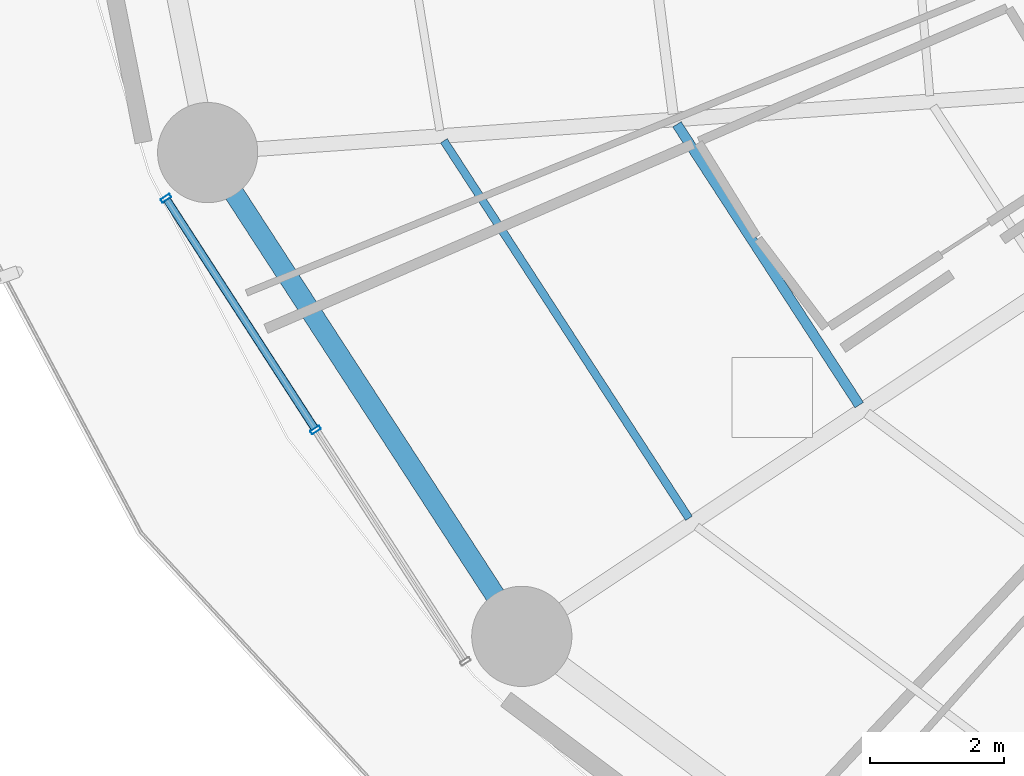
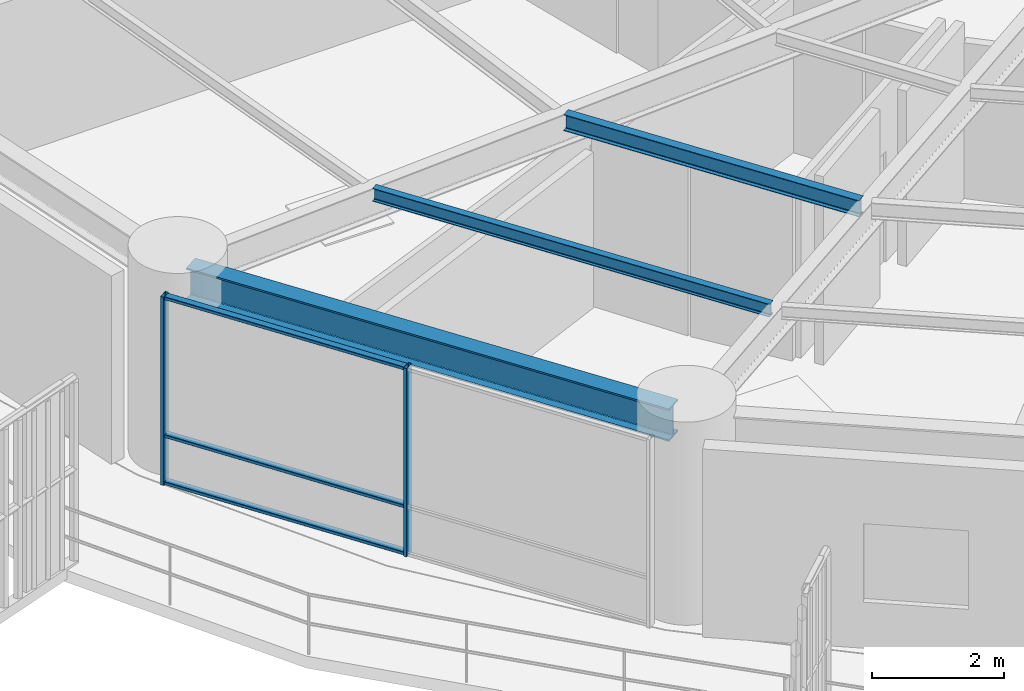
# One storey, part 4 of 34: 5 members, 3 beams, 1 element without a shape of its own.
"""IFC4 building model written with IfcOpenShell, lengths in metres."""

from ifc_helpers import new_model, si_unit, direction, frame, origin, origin_2d, place, context, subcontext, project, spatial, hollow_rectangle, i_section, extrude, material, layer, layer_set, material_profile, profile_set, type_object, element, aggregate, save


model = new_model("IFC4")

# Units and contexts
model_context = context("Model", 3, precision=1e-05, world=origin(), true_north=direction((0.0, 1.0)))
body_context = subcontext(model_context, "Body", "Model", "MODEL_VIEW")
ifc_project = project(units=[si_unit("LENGTHUNIT", "METRE"), si_unit("AREAUNIT", "SQUARE_METRE"), si_unit("VOLUMEUNIT", "CUBIC_METRE"), si_unit("PLANEANGLEUNIT", "RADIAN"), si_unit("MASSUNIT", "GRAM", prefix="KILO")], contexts=[model_context])

# Site, building, storey
site_placement = place(None, origin())
site = spatial("IfcSite", under=ifc_project, at=site_placement, CompositionType="ELEMENT")
building_placement = place(site_placement, origin())
building = spatial("IfcBuilding", under=site, at=building_placement, Name="Kelanora Arch Commons", CompositionType="ELEMENT")
storey_placement = place(building_placement, frame((0.0, 0.0, 30.0)))
storey = spatial("IfcBuildingStorey", under=building, at=storey_placement, Name="L07", CompositionType="ELEMENT", Elevation=30.0)

# Beams
ifc_material_1 = material(Name="Steel S355", Category="steel")
ifc_material_profile_1 = material_profile(ifc_material_1, i_section(OverallWidth=0.14990234375, OverallDepth=0.300048828125, WebThickness=0.007080078125, FlangeThickness=0.0107421875, FilletRadius=0.014892578125, at=origin_2d()), Name="IPE300")
ifc_profile_set_1 = profile_set([ifc_material_profile_1], Name="Steel S355")
beam_type_1 = type_object("IfcBeamType", Name="BM-JST-01", PredefinedType="JOIST", material=ifc_profile_set_1)
beam_1_placement = place(storey_placement, frame((55.578125, 50.187255859375, 3.340087890625), z_axis=(0.544551588245, -0.838727350061, 0.0), x_axis=(0.838727350061, 0.544551588245, 0.0)))
element("IfcBeam", 1, at=beam_1_placement, inside=storey, type_object=beam_type_1, Name="Secondary Chord Joist BJB-20 L07", PredefinedType="JOIST", context=body_context, shape_type="SweptSolid", body=[
    extrude(i_section(OverallWidth=0.14990234375, OverallDepth=0.300048828125, WebThickness=0.007080078125, FlangeThickness=0.0107421875, FilletRadius=0.014892578125, at=origin_2d()), origin(), (0.0, 0.0, 1.0), 5.010986328125),
])
ifc_material_profile_2 = material_profile(ifc_material_1, i_section(OverallWidth=0.1201171875, OverallDepth=0.239990234375, WebThickness=0.006103515625, FlangeThickness=0.009765625, FilletRadius=0.014892578125, at=origin_2d()), Name="IPE240")
ifc_profile_set_2 = profile_set([ifc_material_profile_2], Name="Steel S355")
beam_type_2 = type_object("IfcBeamType", Name="BM-JST-02", PredefinedType="JOIST", material=ifc_profile_set_2)
beam_2_placement = place(storey_placement, frame((52.0888671875, 49.940185546875, 3.3701171875), z_axis=(0.544550165372, -0.838728273873, 0.0), x_axis=(0.838728273873, 0.544550165372, 0.0)))
element("IfcBeam", 2, at=beam_2_placement, inside=storey, type_object=beam_type_2, Name="Secondary Chord Joist BJC-20 L07", PredefinedType="JOIST", context=body_context, shape_type="SweptSolid", body=[
    extrude(i_section(OverallWidth=0.1201171875, OverallDepth=0.239990234375, WebThickness=0.006103515625, FlangeThickness=0.009765625, FilletRadius=0.014892578125, at=origin_2d()), origin(), (0.0, 0.0, 1.0), 6.738037109375),
])
ifc_material_profile_3 = material_profile(ifc_material_1, i_section(OverallWidth=0.300048828125, OverallDepth=0.60009765625, WebThickness=0.015380859375, FlangeThickness=0.030029296875, FilletRadius=0.027099609375, at=origin_2d()), Name="HEB600")
ifc_profile_set_3 = profile_set([ifc_material_profile_3], Name="Steel S355")
beam_type_3 = type_object("IfcBeamType", Name="BM-SPN-Z1", PredefinedType="SPANDREL", material=ifc_profile_set_3)
beam_3_placement = place(storey_placement, frame((48.6728515625, 49.57958984375, 3.18994140625), z_axis=(0.544580949539, -0.838708286235, 0.0), x_axis=(0.838708286235, 0.544580949539, 0.0)))
element("IfcBeam", 3, at=beam_3_placement, inside=storey, type_object=beam_type_3, Name="Perimeter Spandrel Beam BS-20 L07", PredefinedType="SPANDREL", context=body_context, shape_type="SweptSolid", body=[
    extrude(i_section(OverallWidth=0.300048828125, OverallDepth=0.60009765625, WebThickness=0.015380859375, FlangeThickness=0.030029296875, FilletRadius=0.027099609375, at=origin_2d()), origin(), (0.0, 0.0, 1.0), 8.195068359375),
])

# Curtain wall, members
ifc_material_2 = material(Name="Terracotta ceramic-fritted low-E glass and aluminium", Category="masonry")
ifc_layer = layer(ifc_material_2, 0.159912109375)
ifc_layer_set = layer_set([ifc_layer], Name="Terracotta ceramic-fritted low-E glass and aluminium")
curtain_wall_type = type_object("IfcCurtainWallType", Name="CW-SYS-01", PredefinedType="NOTDEFINED", material=ifc_layer_set)
curtain_wall_placement = place(storey_placement, origin())
curtain_wall = element("IfcCurtainWall", 4, at=curtain_wall_placement, inside=storey, type_object=curtain_wall_type, Name="Unitised Curtain Wall L07-B10", PredefinedType="NOTDEFINED")
ifc_material_3 = material(Name="Powder-coated aluminium terracotta", Category="masonry")
ifc_material_profile_4 = material_profile(ifc_material_3, hollow_rectangle(XDim=0.159912109375, YDim=0.06005859375, WallThickness=0.0048828125, InnerFilletRadius=0.0048828125, OuterFilletRadius=0.010009765625, at=origin_2d()), Name="CWM160x60")
ifc_profile_set_4 = profile_set([ifc_material_profile_4], Name="Powder-coated aluminium terracotta")
member_type_1 = type_object("IfcMemberType", Name="CWM-STD", PredefinedType="MULLION", material=ifc_profile_set_4)
member_1_placement = place(storey_placement, frame((47.927734375, 49.07958984375, 0.0), z_axis=(0.0, 0.0, 1.0), x_axis=(0.83972982332, 0.543004441812, 0.0)))
member_1 = element("IfcMember", 5, at=member_1_placement, type_object=member_type_1, Name="CW-01 mullion 1", PredefinedType="MULLION", context=body_context, shape_type="SweptSolid", body=[
    extrude(hollow_rectangle(XDim=0.159912109375, YDim=0.06005859375, WallThickness=0.0048828125, InnerFilletRadius=0.0048828125, OuterFilletRadius=0.010009765625, at=origin_2d()), origin(), (0.0, 0.0, 1.0), 3.47509765625),
])
member_2_placement = place(storey_placement, frame((50.169189453125, 45.61328125, 0.0), z_axis=(0.0, 0.0, 1.0), x_axis=(0.83972982332, 0.543004441812, 0.0)))
member_2 = element("IfcMember", 6, at=member_2_placement, type_object=member_type_1, Name="CW-01 mullion 2", PredefinedType="MULLION", context=body_context, shape_type="SweptSolid", body=[
    extrude(hollow_rectangle(XDim=0.159912109375, YDim=0.06005859375, WallThickness=0.0048828125, InnerFilletRadius=0.0048828125, OuterFilletRadius=0.010009765625, at=origin_2d()), origin(), (0.0, 0.0, 1.0), 3.47509765625),
])
ifc_material_profile_5 = material_profile(ifc_material_3, hollow_rectangle(XDim=0.1201171875, YDim=0.06005859375, WallThickness=0.0048828125, InnerFilletRadius=0.0048828125, OuterFilletRadius=0.010009765625, at=origin_2d()), Name="CWT120x60")
ifc_profile_set_5 = profile_set([ifc_material_profile_5], Name="Powder-coated aluminium terracotta")
member_type_2 = type_object("IfcMemberType", Name="CWT-STD", PredefinedType="USERDEFINED", material=ifc_profile_set_5)
member_3_placement = place(storey_placement, frame((47.944091796875, 49.054443359375, 0.030029296875), z_axis=(0.542997414293, -0.839734367566, 0.0), x_axis=(0.839734367566, 0.542997414293, 0.0)))
member_3 = element("IfcMember", 7, at=member_3_placement, type_object=member_type_2, Name="CW-01 transom 1.1", ObjectType="TRANSOM", PredefinedType="USERDEFINED", context=body_context, shape_type="SweptSolid", body=[
    extrude(hollow_rectangle(XDim=0.1201171875, YDim=0.06005859375, WallThickness=0.0048828125, InnerFilletRadius=0.0048828125, OuterFilletRadius=0.010009765625, at=origin_2d()), origin(), (0.0, 0.0, 1.0), 4.067626953125),
])
member_4_placement = place(storey_placement, frame((47.944091796875, 49.054443359375, 0.89990234375), z_axis=(0.542997414293, -0.839734367566, 0.0), x_axis=(0.839734367566, 0.542997414293, 0.0)))
member_4 = element("IfcMember", 8, at=member_4_placement, type_object=member_type_2, Name="CW-01 transom 1.2", ObjectType="TRANSOM", PredefinedType="USERDEFINED", context=body_context, shape_type="SweptSolid", body=[
    extrude(hollow_rectangle(XDim=0.1201171875, YDim=0.06005859375, WallThickness=0.0048828125, InnerFilletRadius=0.0048828125, OuterFilletRadius=0.010009765625, at=origin_2d()), origin(), (0.0, 0.0, 1.0), 4.067626953125),
])
member_5_placement = place(storey_placement, frame((47.944091796875, 49.054443359375, 3.445068359375), z_axis=(0.542997414293, -0.839734367566, 0.0), x_axis=(0.839734367566, 0.542997414293, 0.0)))
member_5 = element("IfcMember", 9, at=member_5_placement, type_object=member_type_2, Name="CW-01 transom 1.3", ObjectType="TRANSOM", PredefinedType="USERDEFINED", context=body_context, shape_type="SweptSolid", body=[
    extrude(hollow_rectangle(XDim=0.1201171875, YDim=0.06005859375, WallThickness=0.0048828125, InnerFilletRadius=0.0048828125, OuterFilletRadius=0.010009765625, at=origin_2d()), origin(), (0.0, 0.0, 1.0), 4.067626953125),
])
aggregate(curtain_wall, [member_1, member_2, member_3, member_4, member_5])

save(model, "model.ifc")
